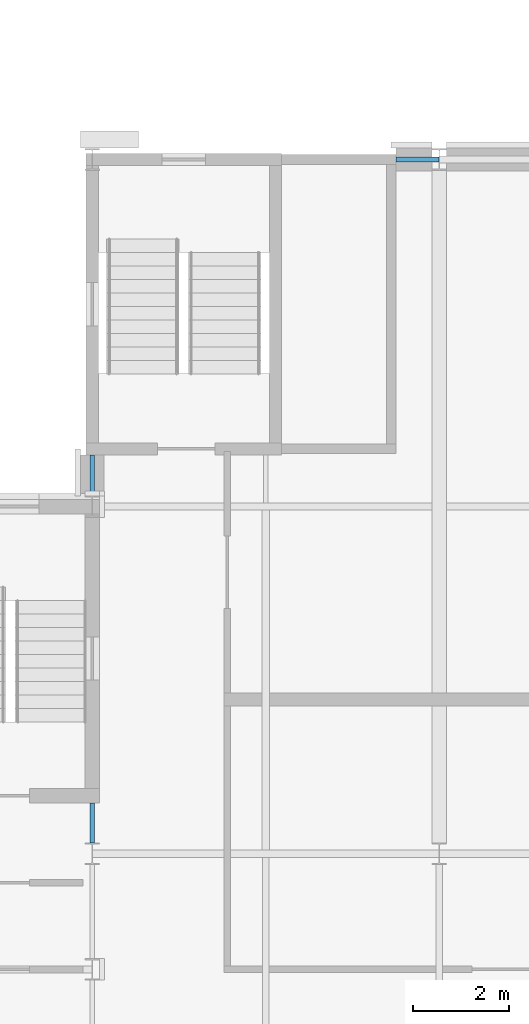
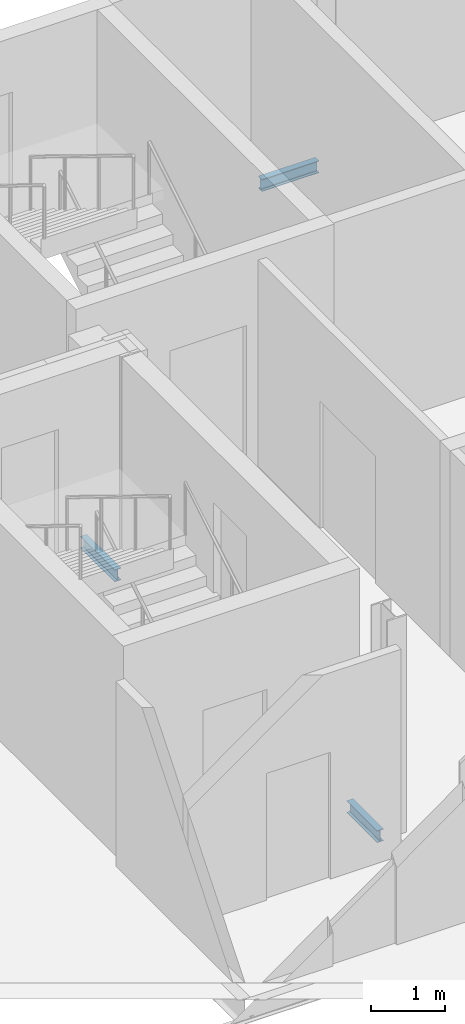
# One storey, part 56 of 124: 3 beams.
"""IFC4 building model written with IfcOpenShell, lengths in metres."""

from ifc_helpers import new_model, si_unit, direction, frame, origin, origin_2d, place, context, subcontext, project, spatial, i_section, extrude, material, material_profile, profile_set, type_object, element, save


model = new_model("IFC4")

# Units and contexts
model_context = context("Model", 3, precision=1e-05, world=origin(), true_north=direction((0.0, 1.0)))
body_context = subcontext(model_context, "Body", "Model", "MODEL_VIEW")
ifc_project = project(units=[si_unit("LENGTHUNIT", "METRE"), si_unit("AREAUNIT", "SQUARE_METRE"), si_unit("VOLUMEUNIT", "CUBIC_METRE"), si_unit("PLANEANGLEUNIT", "RADIAN"), si_unit("MASSUNIT", "GRAM", prefix="KILO")], contexts=[model_context])

# Site, building, storey
site_placement = place(None, origin())
site = spatial("IfcSite", under=ifc_project, at=site_placement, CompositionType="ELEMENT")
building_placement = place(site_placement, origin())
building = spatial("IfcBuilding", under=site, at=building_placement, Name="Kupolbacken Congress Centre", CompositionType="ELEMENT")
storey_placement = place(building_placement, frame((0.0, 0.0, 10.800048828125)))
storey = spatial("IfcBuildingStorey", under=building, at=storey_placement, Name="L03", CompositionType="ELEMENT", Elevation=10.800048828125)

# Beams
ifc_material = material(Name="Steel S355", Category="steel")
ifc_material_profile = material_profile(ifc_material, i_section(OverallWidth=0.10009765625, OverallDepth=0.199951171875, WebThickness=0.005615234375, FlangeThickness=0.008544921875, FilletRadius=0.011962890625, at=origin_2d()), Name="IPE 200")
ifc_profile_set = profile_set([ifc_material_profile], Name="Steel S355")
beam_type = type_object("IfcBeamType", Name="B01 beam IPE 200", PredefinedType="BEAM", material=ifc_profile_set)
beam_1_placement = place(storey_placement, frame((136.800048828125, 137.02490234375, -0.280029296875), z_axis=(0.0, 1.0, 0.0), x_axis=(-1.0, 0.0, 0.0)))
element("IfcBeam", 1, at=beam_1_placement, inside=storey, type_object=beam_type, Name="S/floor/T/L03/S079", PredefinedType="BEAM", context=body_context, shape_type="SweptSolid", body=[
    extrude(i_section(OverallWidth=0.10009765625, OverallDepth=0.199951171875, WebThickness=0.005615234375, FlangeThickness=0.008544921875, FilletRadius=0.011962890625, at=origin_2d()), origin(), (0.0, 0.0, 1.0), 0.8251953125),
])
beam_2_placement = place(storey_placement, frame((136.800048828125, 144.14990234375, -0.280029296875), z_axis=(0.0, 1.0, 0.0), x_axis=(-1.0, 0.0, 0.0)))
element("IfcBeam", 2, at=beam_2_placement, inside=storey, type_object=beam_type, Name="S/floor/BF/L03/G001", PredefinedType="BEAM", context=body_context, shape_type="SweptSolid", body=[
    extrude(i_section(OverallWidth=0.10009765625, OverallDepth=0.199951171875, WebThickness=0.005615234375, FlangeThickness=0.008544921875, FilletRadius=0.011962890625, at=origin_2d()), origin(), (0.0, 0.0, 1.0), 0.925048828125),
])
beam_3_placement = place(storey_placement, frame((143.10009765625, 151.199951171875, -0.280029296875), z_axis=(1.0, 0.0, 0.0), x_axis=(0.0, 1.0, 0.0)))
element("IfcBeam", 3, at=beam_3_placement, inside=storey, type_object=beam_type, Name="S/floor/BF/L03/R014", PredefinedType="BEAM", context=body_context, shape_type="SweptSolid", body=[
    extrude(i_section(OverallWidth=0.10009765625, OverallDepth=0.199951171875, WebThickness=0.005615234375, FlangeThickness=0.008544921875, FilletRadius=0.011962890625, at=origin_2d()), origin(), (0.0, 0.0, 1.0), 0.892822265625),
])

save(model, "model.ifc")
